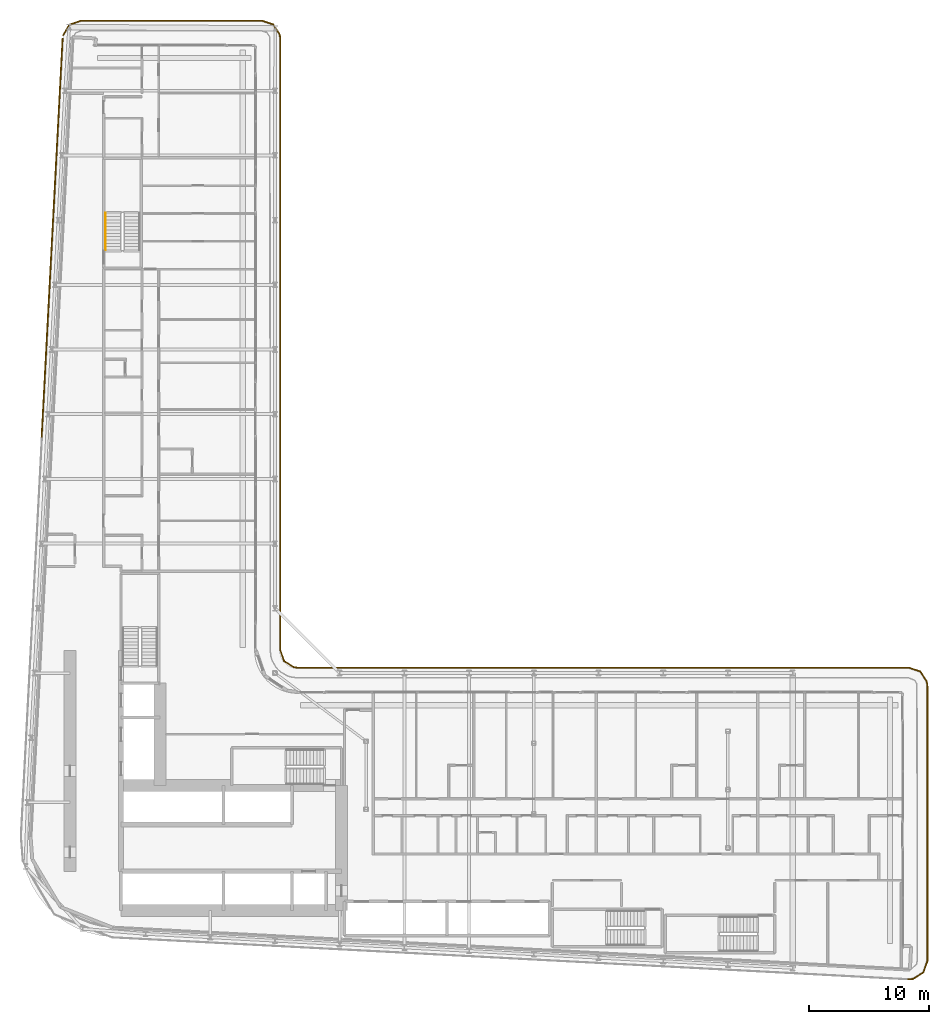
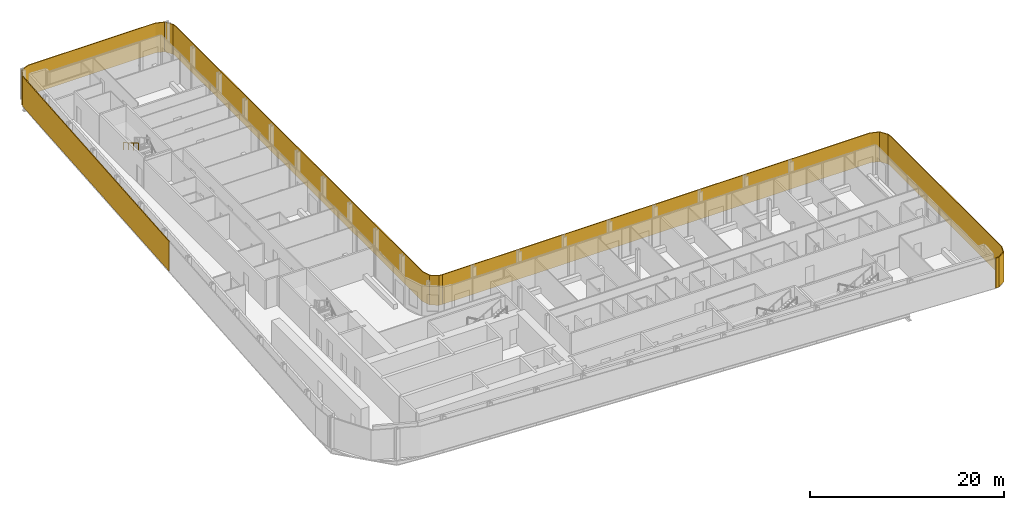
# One storey, part 27 of 29: 3 shading devices, 1 railing.
"""IFC4 building model written with IfcOpenShell, lengths in metres."""

from ifc_helpers import new_model, si_unit, direction, frame, origin, origin_2d, place, context, subcontext, project, spatial, polyline, rectangle, circle, outline, extrude, material, layer, layer_set, type_object, element, save


model = new_model("IFC4")

# Units and contexts
model_context = context("Model", 3, precision=1e-05, world=origin(), true_north=direction((0.0, 1.0)))
body_context = subcontext(model_context, "Body", "Model", "MODEL_VIEW")
ifc_project = project(units=[si_unit("LENGTHUNIT", "METRE"), si_unit("AREAUNIT", "SQUARE_METRE"), si_unit("VOLUMEUNIT", "CUBIC_METRE"), si_unit("PLANEANGLEUNIT", "RADIAN"), si_unit("MASSUNIT", "GRAM", prefix="KILO")], contexts=[model_context])

# Site, building, storey
site_placement = place(None, origin())
site = spatial("IfcSite", under=ifc_project, at=site_placement, CompositionType="ELEMENT")
building_placement = place(site_placement, origin())
building = spatial("IfcBuilding", under=site, at=building_placement, Name="Kheshtan School and Residences Tower", CompositionType="ELEMENT")
storey_placement = place(building_placement, frame((0.0, 0.0, 69.5)))
storey = spatial("IfcBuildingStorey", under=building, at=storey_placement, Name="L16", CompositionType="ELEMENT", Elevation=69.5)

# Shading devices
ifc_material_1 = material(Name="Terracotta baguette, extruded ceramic", Category="masonry")
ifc_layer_1 = layer(ifc_material_1, 0.10009765625)
ifc_layer_set_1 = layer_set([ifc_layer_1], Name="Ledge screen, terracotta baguettes")
shading_device_type_1 = type_object("IfcShadingDeviceType", Name="Ledge screen, terracotta baguettes", PredefinedType="USERDEFINED", material=ifc_layer_set_1)
shading_device_1_placement = place(storey_placement, frame((28.9990234375, 81.93408203125, 0.0), z_axis=(0.0, 0.0, 1.0), x_axis=(0.052562536748, 0.998617634398, 0.0)))
element("IfcShadingDevice", 1, at=shading_device_1_placement, inside=storey, type_object=shading_device_type_1, Name="Screen L16 5", ObjectType="BAGUETTE", PredefinedType="USERDEFINED", context=body_context, shape_type="SweptSolid", body=[
    extrude(rectangle(XDim=33.341064453125, YDim=0.10009765625, at=origin_2d()), origin(), (0.0, 0.0, 1.0), 3.75),
])
ifc_material_2 = material(Name="Terracotta lattice, extruded ceramic", Category="masonry")
ifc_layer_2 = layer(ifc_material_2, 0.10009765625)
ifc_layer_set_2 = layer_set([ifc_layer_2], Name="Loggia screen, terracotta lattice")
shading_device_type_2 = type_object("IfcShadingDeviceType", Name="Loggia screen, terracotta lattice", PredefinedType="USERDEFINED", material=ifc_layer_set_2)
shading_device_2_placement = place(storey_placement, origin())
element("IfcShadingDevice", 2, at=shading_device_2_placement, inside=storey, type_object=shading_device_type_2, Name="Screen L16 1", ObjectType="SCREEN", PredefinedType="USERDEFINED", context=body_context, shape_type="SweptSolid", body=[
    extrude(outline(polyline([(29.949951171875, 98.783935546875), (30.468017578125, 99.656982421875), (31.423095703125, 100.0), (46.5, 100.0), (47.4130859375, 99.68994140625), (47.948974609375, 98.887939453125), (48.0, 98.5), (48.0, 47.5), (48.31005859375, 46.5869140625), (49.112060546875, 46.051025390625), (49.5, 46.0), (49.512939453125, 46.09912109375), (49.14794921875, 46.14697265625), (48.39404296875, 46.65087890625), (48.10009765625, 47.51708984375), (48.10009765625, 98.507080078125), (48.044921875, 98.924072265625), (47.47705078125, 99.77392578125), (46.51708984375, 100.10009765625), (31.406005859375, 100.10009765625), (30.39990234375, 99.739013671875), (29.864013671875, 98.8349609375), (29.949951171875, 98.783935546875)])), origin(), (0.0, 0.0, 1.0), 3.75),
])
shading_device_3_placement = place(storey_placement, origin())
element("IfcShadingDevice", 3, at=shading_device_3_placement, inside=storey, type_object=shading_device_type_2, Name="Screen L16 2", ObjectType="SCREEN", PredefinedType="USERDEFINED", context=body_context, shape_type="SweptSolid", body=[
    extrude(outline(polyline([(49.5, 46.0), (100.5, 46.0), (101.4130859375, 45.68994140625), (101.948974609375, 44.887939453125), (102.0, 44.5), (102.0, 21.5810546875), (101.669921875, 20.64208984375), (100.823974609375, 20.116943359375), (100.4208984375, 20.0830078125), (100.428955078125, 19.98291015625), (100.85595703125, 20.01904296875), (101.7529296875, 20.575927734375), (102.10009765625, 21.56396484375), (102.10009765625, 44.507080078125), (102.044921875, 44.924072265625), (101.47705078125, 45.77392578125), (100.51708984375, 46.10009765625), (49.5, 46.10009765625), (49.5, 46.0)])), origin(), (0.0, 0.0, 1.0), 3.75),
])

# Railing
ifc_material_3 = material(Name="Stainless steel handrail", Category="steel")
railing_type = type_object("IfcRailingType", Name="Stair handrail 900", PredefinedType="HANDRAIL", material=ifc_material_3)
railing_placement = place(storey_placement, frame((33.449951171875, 83.97998046875, 2.112548828125)))
element("IfcRailing", 4, at=railing_placement, inside=storey, type_object=railing_type, Name="L16 ST3 stair handrail 2", PredefinedType="HANDRAIL", context=body_context, shape_type="SweptSolid", body=[
    extrude(circle(Radius=0.02392578125, at=origin_2d()), frame((0.0, 0.0, 0.8759765625), z_axis=(0.0, -0.864920483161, 0.501908913857), x_axis=(1.0, 0.0, 0.0)), (0.0, 0.0, 1.0), 3.56103515625),
    extrude(circle(Radius=0.02099609375, at=origin_2d()), origin(), (0.0, 0.0, 1.0), 0.851806640625),
    extrude(circle(Radius=0.02099609375, at=origin_2d()), frame((0.0, -1.026611328125, 0.595703125)), (0.0, 0.0, 1.0), 0.851806640625),
    extrude(circle(Radius=0.02099609375, at=origin_2d()), frame((0.0, -2.053466796875, 1.191650390625)), (0.0, 0.0, 1.0), 0.851806640625),
    extrude(circle(Radius=0.02099609375, at=origin_2d()), frame((0.0, -3.080078125, 1.787353515625)), (0.0, 0.0, 1.0), 0.851806640625),
])

save(model, "model.ifc")
